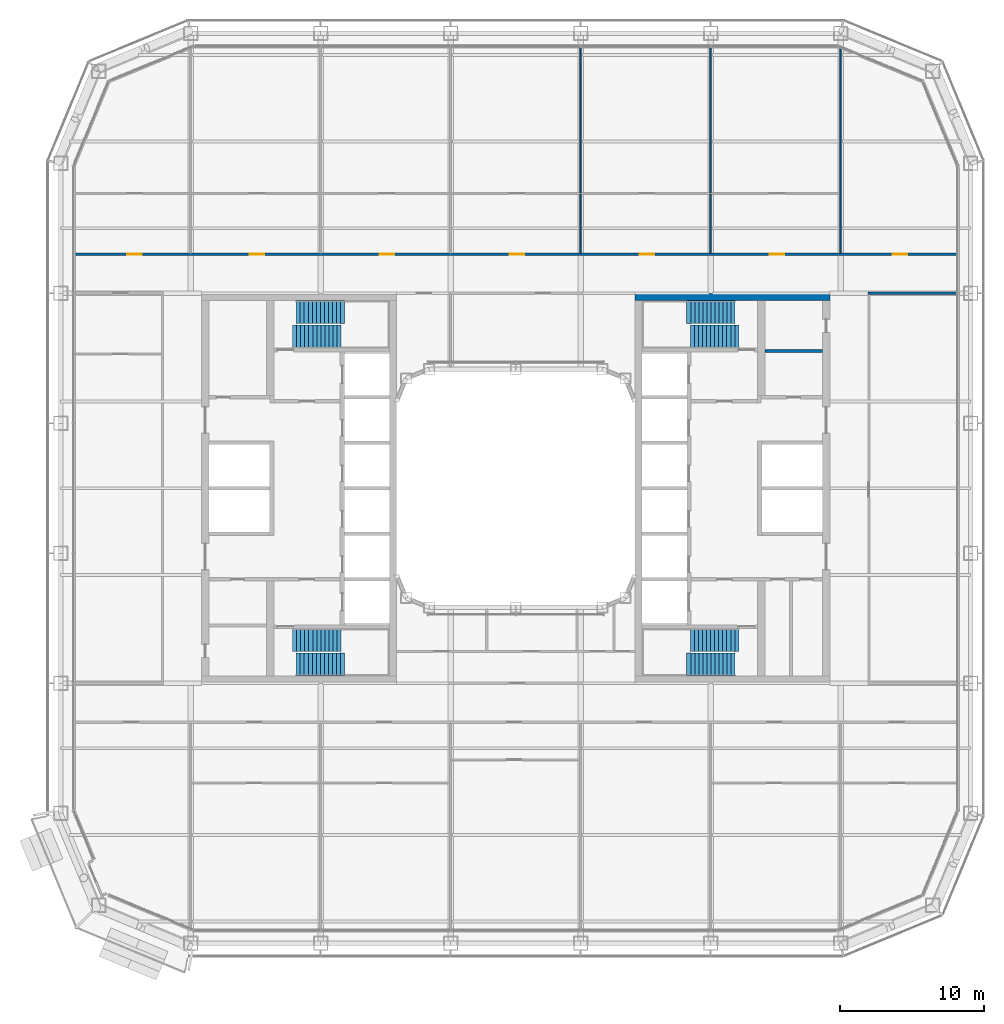
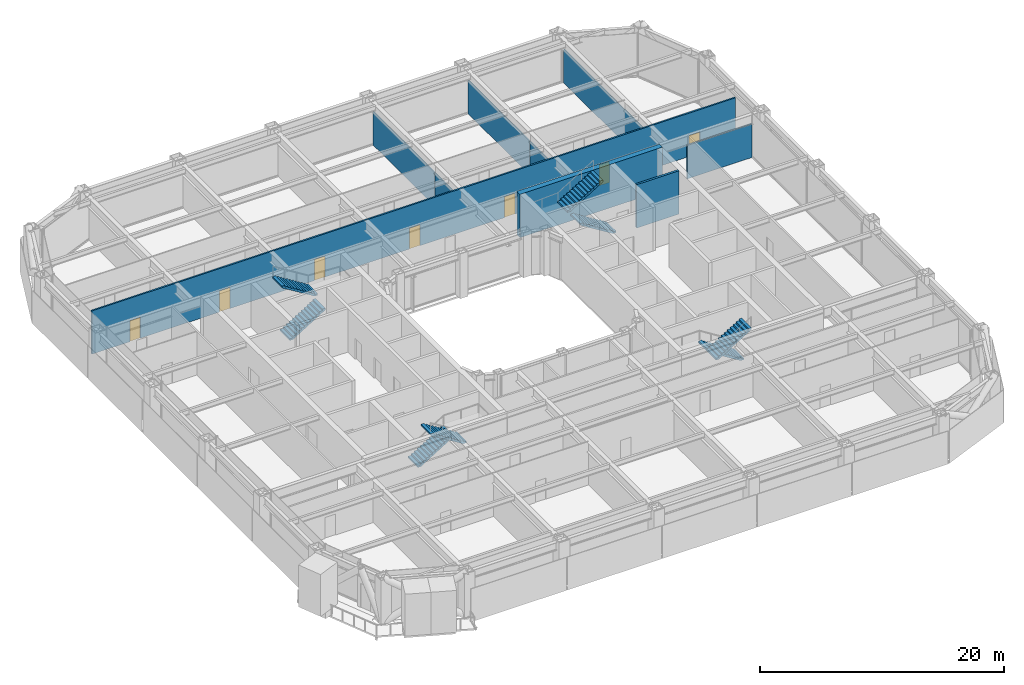
# One storey, part 17 of 27: 9 walls, 8 stair flights, 7 doors, 7 openings, 4 elements without a shape of their own.
"""IFC4 building model written with IfcOpenShell, lengths in metres."""

from ifc_helpers import new_model, si_unit, direction, frame, frame_2d, origin, place, context, subcontext, project, spatial, polyline, rectangle, outline, extrude, material, layer, layer_set, type_object, element, fill, aggregate, save


model = new_model("IFC4")

# Units and contexts
model_context = context("Model", 3, precision=1e-05, world=origin(), true_north=direction((0.0, 1.0)))
body_context = subcontext(model_context, "Body", "Model", "MODEL_VIEW")
ifc_project = project(units=[si_unit("LENGTHUNIT", "METRE"), si_unit("AREAUNIT", "SQUARE_METRE"), si_unit("VOLUMEUNIT", "CUBIC_METRE"), si_unit("PLANEANGLEUNIT", "RADIAN"), si_unit("MASSUNIT", "GRAM", prefix="KILO")], contexts=[model_context])

# Site, building, storey
site_placement = place(None, origin())
site = spatial("IfcSite", under=ifc_project, at=site_placement, CompositionType="ELEMENT")
building_placement = place(site_placement, origin())
building = spatial("IfcBuilding", under=site, at=building_placement, Name="Siwar Civic Tower", CompositionType="ELEMENT")
storey_placement = place(building_placement, frame((0.0, 0.0, 71.699951171875)))
storey = spatial("IfcBuildingStorey", under=building, at=storey_placement, Name="L15", CompositionType="ELEMENT", Elevation=71.699951171875)

# Walls
ifc_material_1 = material(Name="Gypsum board on steel studs", Category="steel")
ifc_layer_1 = layer(ifc_material_1, 0.199951171875)
ifc_layer_set_1 = layer_set([ifc_layer_1], Name="Gypsum board on steel studs")
wall_type_1 = type_object("IfcWallType", Name="CORE-PARTITION-200", PredefinedType="PARTITIONING", material=ifc_layer_set_1)
wall_1_placement = place(storey_placement, frame((17.25, 9.5, 0.0), z_axis=(0.0, 0.0, 1.0), x_axis=(1.0, 0.0, 0.0)))
element("IfcWall", 1, at=wall_1_placement, inside=storey, type_object=wall_type_1, Name="Core partition E", PredefinedType="PARTITIONING", context=body_context, shape_type="SweptSolid", body=[
    extrude(rectangle(XDim=4.0, YDim=0.199951171875, at=frame_2d((2.0, 0.0))), origin(), (0.0, 0.0, 1.0), 4.35009765625),
])
ifc_material_2 = material(Name="Concrete C60/75", Category="concrete")
ifc_layer_2 = layer(ifc_material_2, 0.5)
ifc_layer_set_2 = layer_set([ifc_layer_2], Name="Concrete C60/75")
wall_type_2 = type_object("IfcWallType", Name="CORE-WALL-RC500", PredefinedType="SHEAR", material=ifc_layer_set_2)
wall_2_placement = place(storey_placement, frame((8.25, 13.25, 0.0), z_axis=(0.0, 0.0, 1.0), x_axis=(1.0, 0.0, 0.0)))
element("IfcWall", 2, at=wall_2_placement, inside=storey, type_object=wall_type_2, Name="Core wall E", PredefinedType="SHEAR", context=body_context, shape_type="SweptSolid", body=[
    extrude(rectangle(XDim=13.5, YDim=0.5, at=frame_2d((6.75, 0.0))), origin(), (0.0, 0.0, 1.0), 4.35009765625),
])
ifc_material_3 = material(Name="Gypsum board on steel studs", Category="steel")
ifc_layer_3 = layer(ifc_material_3, 0.14990234375)
ifc_layer_set_3 = layer_set([ifc_layer_3], Name="Gypsum board on steel studs")
wall_type_3 = type_object("IfcWallType", Name="CORRIDOR PARTITION 150 EI 30", PredefinedType="PARTITIONING", material=ifc_layer_set_3)
wall_3_placement = place(storey_placement, frame((24.375, 13.5, 0.0), z_axis=(0.0, 0.0, 1.0), x_axis=(1.0, 0.0, 0.0)))
element("IfcWall", 3, at=wall_3_placement, inside=storey, type_object=wall_type_3, Name="L15/wall/P13", PredefinedType="PARTITIONING", context=body_context, shape_type="SweptSolid", body=[
    extrude(rectangle(XDim=6.135009765625, YDim=0.14990234375, at=frame_2d((3.0673828125, 0.0))), origin(), (0.0, 0.0, 1.0), 3.35009765625),
])

# Wall, openings, doors
wall_4_placement = place(storey_placement, frame((-30.510009765625, 16.199951171875, 0.0), z_axis=(0.0, 0.0, 1.0), x_axis=(1.0, 0.0, 0.0)))
wall_4 = element("IfcWall", 4, at=wall_4_placement, inside=storey, type_object=wall_type_3, Name="L15/wall/P14", PredefinedType="PARTITIONING", context=body_context, shape_type="SweptSolid", body=[
    extrude(rectangle(XDim=61.02001953125, YDim=0.14990234375, at=frame_2d((30.510009765625, 0.0))), origin(), (0.0, 0.0, 1.0), 4.35009765625),
])
opening_1_placement = place(wall_4_placement, frame((12.110107421875, 0.0, 0.0)))
opening_1 = element("IfcOpeningElement", 5, at=opening_1_placement, cuts=wall_4, Name="Opening D1", PredefinedType="OPENING", context=body_context, shape_type="SweptSolid", body=[
    extrude(rectangle(XDim=1.0, YDim=2.10009765625, at=frame_2d((0.5, 1.050048828125))), frame((0.0, 0.0849609375, 0.0), z_axis=(0.0, -1.0, 0.0), x_axis=(1.0, 0.0, 0.0)), (0.0, 0.0, 1.0), 0.169921875),
])
opening_2_placement = place(wall_4_placement, frame((21.110107421875, 0.0, 0.0)))
opening_2 = element("IfcOpeningElement", 6, at=opening_2_placement, cuts=wall_4, Name="Opening D1", PredefinedType="OPENING", context=body_context, shape_type="SweptSolid", body=[
    extrude(rectangle(XDim=1.0, YDim=2.10009765625, at=frame_2d((0.5, 1.050048828125))), frame((0.0, 0.0849609375, 0.0), z_axis=(0.0, -1.0, 0.0), x_axis=(1.0, 0.0, 0.0)), (0.0, 0.0, 1.0), 0.169921875),
])
opening_3_placement = place(wall_4_placement, frame((30.110107421875, 0.0, 0.0)))
opening_3 = element("IfcOpeningElement", 7, at=opening_3_placement, cuts=wall_4, Name="Opening D1", PredefinedType="OPENING", context=body_context, shape_type="SweptSolid", body=[
    extrude(rectangle(XDim=1.0, YDim=2.10009765625, at=frame_2d((0.5, 1.050048828125))), frame((0.0, 0.0849609375, 0.0), z_axis=(0.0, -1.0, 0.0), x_axis=(1.0, 0.0, 0.0)), (0.0, 0.0, 1.0), 0.169921875),
])
opening_4_placement = place(wall_4_placement, frame((39.110107421875, 0.0, 0.0)))
opening_4 = element("IfcOpeningElement", 8, at=opening_4_placement, cuts=wall_4, Name="Opening D1", PredefinedType="OPENING", context=body_context, shape_type="SweptSolid", body=[
    extrude(rectangle(XDim=1.0, YDim=2.10009765625, at=frame_2d((0.5, 1.050048828125))), frame((0.0, 0.0849609375, 0.0), z_axis=(0.0, -1.0, 0.0), x_axis=(1.0, 0.0, 0.0)), (0.0, 0.0, 1.0), 0.169921875),
])
opening_5_placement = place(wall_4_placement, frame((48.110107421875, 0.0, 0.0)))
opening_5 = element("IfcOpeningElement", 9, at=opening_5_placement, cuts=wall_4, Name="Opening D1", PredefinedType="OPENING", context=body_context, shape_type="SweptSolid", body=[
    extrude(rectangle(XDim=1.0, YDim=2.10009765625, at=frame_2d((0.5, 1.050048828125))), frame((0.0, 0.0849609375, 0.0), z_axis=(0.0, -1.0, 0.0), x_axis=(1.0, 0.0, 0.0)), (0.0, 0.0, 1.0), 0.169921875),
])
opening_6_placement = place(wall_4_placement, frame((3.610107421875, 0.0, 0.0)))
opening_6 = element("IfcOpeningElement", 10, at=opening_6_placement, cuts=wall_4, Name="Opening D1", PredefinedType="OPENING", context=body_context, shape_type="SweptSolid", body=[
    extrude(rectangle(XDim=1.0, YDim=2.10009765625, at=frame_2d((0.5, 1.050048828125))), frame((0.0, 0.0849609375, 0.0), z_axis=(0.0, -1.0, 0.0), x_axis=(1.0, 0.0, 0.0)), (0.0, 0.0, 1.0), 0.169921875),
])
opening_7_placement = place(wall_4_placement, frame((56.6201171875, 0.0, 0.0)))
opening_7 = element("IfcOpeningElement", 11, at=opening_7_placement, cuts=wall_4, Name="Opening D1", PredefinedType="OPENING", context=body_context, shape_type="SweptSolid", body=[
    extrude(rectangle(XDim=1.0, YDim=2.10009765625, at=frame_2d((0.5, 1.050048828125))), frame((0.0, 0.0849609375, 0.0), z_axis=(0.0, -1.0, 0.0), x_axis=(1.0, 0.0, 0.0)), (0.0, 0.0, 1.0), 0.169921875),
])
ifc_material_4 = material(Name="Timber, painted", Category="wood")
door_type = type_object("IfcDoorType", Name="DOOR 1000 X 2100 FD30", OperationType="SINGLE_SWING_LEFT", PredefinedType="DOOR", material=ifc_material_4)
door_1_placement = place(opening_1_placement, origin())
door_1 = element("IfcDoor", 12, at=door_1_placement, inside=storey, type_object=door_type, Name="L15-D01", OperationType="SINGLE_SWING_LEFT", OverallHeight=2.10009765625, OverallWidth=1.0, PredefinedType="DOOR", context=body_context, shape_type="SweptSolid", body=[
    extrude(rectangle(XDim=1.0, YDim=2.10009765625, at=frame_2d((0.5, 1.050048828125))), frame((0.0, 0.02490234375, 0.0), z_axis=(0.0, -1.0, 0.0), x_axis=(1.0, 0.0, 0.0)), (0.0, 0.0, 1.0), 0.050048828125),
])
fill(opening_1, door_1)
door_2_placement = place(opening_2_placement, origin())
door_2 = element("IfcDoor", 13, at=door_2_placement, inside=storey, type_object=door_type, Name="L15-D03", OperationType="SINGLE_SWING_LEFT", OverallHeight=2.10009765625, OverallWidth=1.0, PredefinedType="DOOR", context=body_context, shape_type="SweptSolid", body=[
    extrude(rectangle(XDim=1.0, YDim=2.10009765625, at=frame_2d((0.5, 1.050048828125))), frame((0.0, 0.02490234375, 0.0), z_axis=(0.0, -1.0, 0.0), x_axis=(1.0, 0.0, 0.0)), (0.0, 0.0, 1.0), 0.050048828125),
])
fill(opening_2, door_2)
door_3_placement = place(opening_3_placement, origin())
door_3 = element("IfcDoor", 14, at=door_3_placement, inside=storey, type_object=door_type, Name="L15-D05", OperationType="SINGLE_SWING_LEFT", OverallHeight=2.10009765625, OverallWidth=1.0, PredefinedType="DOOR", context=body_context, shape_type="SweptSolid", body=[
    extrude(rectangle(XDim=1.0, YDim=2.10009765625, at=frame_2d((0.5, 1.050048828125))), frame((0.0, 0.02490234375, 0.0), z_axis=(0.0, -1.0, 0.0), x_axis=(1.0, 0.0, 0.0)), (0.0, 0.0, 1.0), 0.050048828125),
])
fill(opening_3, door_3)
door_4_placement = place(opening_4_placement, origin())
door_4 = element("IfcDoor", 15, at=door_4_placement, inside=storey, type_object=door_type, Name="L15-D07", OperationType="SINGLE_SWING_LEFT", OverallHeight=2.10009765625, OverallWidth=1.0, PredefinedType="DOOR", context=body_context, shape_type="SweptSolid", body=[
    extrude(rectangle(XDim=1.0, YDim=2.10009765625, at=frame_2d((0.5, 1.050048828125))), frame((0.0, 0.02490234375, 0.0), z_axis=(0.0, -1.0, 0.0), x_axis=(1.0, 0.0, 0.0)), (0.0, 0.0, 1.0), 0.050048828125),
])
fill(opening_4, door_4)
door_5_placement = place(opening_5_placement, origin())
door_5 = element("IfcDoor", 16, at=door_5_placement, inside=storey, type_object=door_type, Name="L15-D09", OperationType="SINGLE_SWING_LEFT", OverallHeight=2.10009765625, OverallWidth=1.0, PredefinedType="DOOR", context=body_context, shape_type="SweptSolid", body=[
    extrude(rectangle(XDim=1.0, YDim=2.10009765625, at=frame_2d((0.5, 1.050048828125))), frame((0.0, 0.02490234375, 0.0), z_axis=(0.0, -1.0, 0.0), x_axis=(1.0, 0.0, 0.0)), (0.0, 0.0, 1.0), 0.050048828125),
])
fill(opening_5, door_5)
door_6_placement = place(opening_6_placement, origin())
door_6 = element("IfcDoor", 17, at=door_6_placement, inside=storey, type_object=door_type, Name="L15-D20", OperationType="SINGLE_SWING_RIGHT", OverallHeight=2.10009765625, OverallWidth=1.0, PredefinedType="DOOR", context=body_context, shape_type="SweptSolid", body=[
    extrude(rectangle(XDim=1.0, YDim=2.10009765625, at=frame_2d((0.5, 1.050048828125))), frame((0.0, 0.02490234375, 0.0), z_axis=(0.0, -1.0, 0.0), x_axis=(1.0, 0.0, 0.0)), (0.0, 0.0, 1.0), 0.050048828125),
])
fill(opening_6, door_6)
door_7_placement = place(opening_7_placement, origin())
door_7 = element("IfcDoor", 18, at=door_7_placement, inside=storey, type_object=door_type, Name="L15-D22", OperationType="SINGLE_SWING_RIGHT", OverallHeight=2.10009765625, OverallWidth=1.0, PredefinedType="DOOR", context=body_context, shape_type="SweptSolid", body=[
    extrude(rectangle(XDim=1.0, YDim=2.10009765625, at=frame_2d((0.5, 1.050048828125))), frame((0.0, 0.02490234375, 0.0), z_axis=(0.0, -1.0, 0.0), x_axis=(1.0, 0.0, 0.0)), (0.0, 0.0, 1.0), 0.050048828125),
])
fill(opening_7, door_7)

# Walls
ifc_material_5 = material(Name="Gypsum board on steel studs", Category="steel")
ifc_layer_4 = layer(ifc_material_5, 0.10009765625)
ifc_layer_set_4 = layer_set([ifc_layer_4], Name="Gypsum board on steel studs")
wall_type_4 = type_object("IfcWallType", Name="PARTITION 100 GYPSUM", PredefinedType="PARTITIONING", material=ifc_layer_set_4)
wall_5_placement = place(storey_placement, frame((4.5, 16.27490234375, 0.0), z_axis=(0.0, 0.0, 1.0), x_axis=(0.0, 1.0, 0.0)))
element("IfcWall", 19, at=wall_5_placement, inside=storey, type_object=wall_type_4, Name="L15/wall/P31", PredefinedType="PARTITIONING", context=body_context, shape_type="SweptSolid", body=[
    extrude(rectangle(XDim=4.0751953125, YDim=0.10009765625, at=frame_2d((2.03759765625, 0.0))), origin(), (0.0, 0.0, 1.0), 3.35009765625),
])
wall_6_placement = place(storey_placement, frame((4.5, 20.449951171875, 0.0), z_axis=(0.0, 0.0, 1.0), x_axis=(0.0, 1.0, 0.0)))
element("IfcWall", 20, at=wall_6_placement, inside=storey, type_object=wall_type_4, Name="L15/wall/P32", PredefinedType="PARTITIONING", context=body_context, shape_type="SweptSolid", body=[
    extrude(rectangle(XDim=10.06005859375, YDim=0.10009765625, at=frame_2d((5.030029296875, 0.0))), origin(), (0.0, 0.0, 1.0), 3.35009765625),
])
wall_7_placement = place(storey_placement, frame((13.5, 16.27490234375, 0.0), z_axis=(0.0, 0.0, 1.0), x_axis=(0.0, 1.0, 0.0)))
element("IfcWall", 21, at=wall_7_placement, inside=storey, type_object=wall_type_4, Name="L15/wall/P35", PredefinedType="PARTITIONING", context=body_context, shape_type="SweptSolid", body=[
    extrude(rectangle(XDim=4.0751953125, YDim=0.10009765625, at=frame_2d((2.03759765625, 0.0))), origin(), (0.0, 0.0, 1.0), 3.35009765625),
])
wall_8_placement = place(storey_placement, frame((13.5, 20.449951171875, 0.0), z_axis=(0.0, 0.0, 1.0), x_axis=(0.0, 1.0, 0.0)))
element("IfcWall", 22, at=wall_8_placement, inside=storey, type_object=wall_type_4, Name="L15/wall/P36", PredefinedType="PARTITIONING", context=body_context, shape_type="SweptSolid", body=[
    extrude(rectangle(XDim=10.06005859375, YDim=0.10009765625, at=frame_2d((5.030029296875, 0.0))), origin(), (0.0, 0.0, 1.0), 3.35009765625),
])
wall_9_placement = place(storey_placement, frame((22.5, 16.27490234375, 0.0), z_axis=(0.0, 0.0, 1.0), x_axis=(0.0, 1.0, 0.0)))
element("IfcWall", 23, at=wall_9_placement, inside=storey, type_object=wall_type_4, Name="L15/wall/P39", PredefinedType="PARTITIONING", context=body_context, shape_type="SweptSolid", body=[
    extrude(rectangle(XDim=14.153076171875, YDim=0.10009765625, at=frame_2d((7.07666015625, 0.0))), origin(), (0.0, 0.0, 1.0), 3.35009765625),
])

# Stair, stair flights
ifc_material_6 = material(Name="Concrete C40/50", Category="concrete")
stair_type = type_object("IfcStairType", Name="CORE-STAIR", PredefinedType="TWO_STRAIGHT_RUN_STAIR", material=ifc_material_6)
stair_1_placement = place(storey_placement, origin())
stair_1 = element("IfcStair", 24, at=stair_1_placement, inside=storey, type_object=stair_type, Name="Exit stair ST1", PredefinedType="TWO_STRAIGHT_RUN_STAIR")
ifc_material_7 = material(Name="Concrete C40/50", Category="concrete")
stair_flight_type = type_object("IfcStairFlightType", Name="CORE-STAIR-FLIGHT", PredefinedType="STRAIGHT", material=ifc_material_7)
stair_flight_1_placement = place(storey_placement, frame((-15.449951171875, 10.5, 0.0), z_axis=(0.0, 0.0, 1.0), x_axis=(1.0, 0.0, 0.0)))
stair_flight_1 = element("IfcStairFlight", 25, at=stair_flight_1_placement, type_object=stair_flight_type, Name="ST1 flight 1", NumberOfRisers=13, NumberOfTreads=12, PredefinedType="STRAIGHT", RiserHeight=0.173076923, TreadLength=0.28, context=body_context, shape_type="SweptSolid", body=[
    extrude(outline(polyline([(0.0, 0.0), (0.0, 0.173095703125), (0.280029296875, 0.173095703125), (0.280029296875, 0.34619140625), (0.56005859375, 0.34619140625), (0.56005859375, 0.519287109375), (0.840087890625, 0.519287109375), (0.840087890625, 0.6923828125), (1.1201171875, 0.6923828125), (1.1201171875, 0.865478515625), (1.39990234375, 0.865478515625), (1.39990234375, 1.03857421875), (1.679931640625, 1.03857421875), (1.679931640625, 1.21142578125), (1.9599609375, 1.21142578125), (1.9599609375, 1.384521484375), (2.239990234375, 1.384521484375), (2.239990234375, 1.5576171875), (2.52001953125, 1.5576171875), (2.52001953125, 1.730712890625), (2.800048828125, 1.730712890625), (2.800048828125, 1.90380859375), (3.080078125, 1.90380859375), (3.080078125, 2.076904296875), (3.360107421875, 2.076904296875), (3.360107421875, 2.25), (3.360107421875, 1.900634765625), (0.28515625, 0.0), (0.0, 0.0)])), frame((0.0, 0.800048828125, 0.0), z_axis=(0.0, -1.0, 0.0), x_axis=(1.0, 0.0, 0.0)), (0.0, 0.0, 1.0), 1.60009765625),
])
stair_flight_2_placement = place(storey_placement, frame((-11.840087890625, 12.199951171875, 2.25), z_axis=(0.0, 0.0, 1.0), x_axis=(-1.0, 0.0, 0.0)))
stair_flight_2 = element("IfcStairFlight", 26, at=stair_flight_2_placement, type_object=stair_flight_type, Name="ST1 flight 2", NumberOfRisers=13, NumberOfTreads=12, PredefinedType="STRAIGHT", RiserHeight=0.173076923, TreadLength=0.28, context=body_context, shape_type="SweptSolid", body=[
    extrude(outline(polyline([(0.0, 0.0), (0.0, 0.173095703125), (0.280029296875, 0.173095703125), (0.280029296875, 0.34619140625), (0.56005859375, 0.34619140625), (0.56005859375, 0.519287109375), (0.840087890625, 0.519287109375), (0.840087890625, 0.6923828125), (1.1201171875, 0.6923828125), (1.1201171875, 0.865478515625), (1.39990234375, 0.865478515625), (1.39990234375, 1.03857421875), (1.679931640625, 1.03857421875), (1.679931640625, 1.21142578125), (1.9599609375, 1.21142578125), (1.9599609375, 1.384521484375), (2.239990234375, 1.384521484375), (2.239990234375, 1.5576171875), (2.52001953125, 1.5576171875), (2.52001953125, 1.730712890625), (2.800048828125, 1.730712890625), (2.800048828125, 1.90380859375), (3.080078125, 1.90380859375), (3.080078125, 2.076904296875), (3.360107421875, 2.076904296875), (3.360107421875, 2.25), (3.360107421875, 1.900634765625), (0.28515625, 0.0), (0.0, 0.0)])), frame((0.0, 0.800048828125, 0.0), z_axis=(0.0, -1.0, 0.0), x_axis=(1.0, 0.0, 0.0)), (0.0, 0.0, 1.0), 1.60009765625),
])
aggregate(stair_1, [stair_flight_1, stair_flight_2])

stair_2_placement = place(storey_placement, origin())
stair_2 = element("IfcStair", 27, at=stair_2_placement, inside=storey, type_object=stair_type, Name="Exit stair ST2", PredefinedType="TWO_STRAIGHT_RUN_STAIR")
stair_flight_3_placement = place(storey_placement, frame((-15.449951171875, -10.5, 0.0), z_axis=(0.0, 0.0, 1.0), x_axis=(1.0, 0.0, 0.0)))
stair_flight_3 = element("IfcStairFlight", 28, at=stair_flight_3_placement, type_object=stair_flight_type, Name="ST2 flight 1", NumberOfRisers=13, NumberOfTreads=12, PredefinedType="STRAIGHT", RiserHeight=0.173076923, TreadLength=0.28, context=body_context, shape_type="SweptSolid", body=[
    extrude(outline(polyline([(0.0, 0.0), (0.0, 0.173095703125), (0.280029296875, 0.173095703125), (0.280029296875, 0.34619140625), (0.56005859375, 0.34619140625), (0.56005859375, 0.519287109375), (0.840087890625, 0.519287109375), (0.840087890625, 0.6923828125), (1.1201171875, 0.6923828125), (1.1201171875, 0.865478515625), (1.39990234375, 0.865478515625), (1.39990234375, 1.03857421875), (1.679931640625, 1.03857421875), (1.679931640625, 1.21142578125), (1.9599609375, 1.21142578125), (1.9599609375, 1.384521484375), (2.239990234375, 1.384521484375), (2.239990234375, 1.5576171875), (2.52001953125, 1.5576171875), (2.52001953125, 1.730712890625), (2.800048828125, 1.730712890625), (2.800048828125, 1.90380859375), (3.080078125, 1.90380859375), (3.080078125, 2.076904296875), (3.360107421875, 2.076904296875), (3.360107421875, 2.25), (3.360107421875, 1.900634765625), (0.28515625, 0.0), (0.0, 0.0)])), frame((0.0, 0.800048828125, 0.0), z_axis=(0.0, -1.0, 0.0), x_axis=(1.0, 0.0, 0.0)), (0.0, 0.0, 1.0), 1.60009765625),
])
stair_flight_4_placement = place(storey_placement, frame((-11.840087890625, -12.199951171875, 2.25), z_axis=(0.0, 0.0, 1.0), x_axis=(-1.0, 0.0, 0.0)))
stair_flight_4 = element("IfcStairFlight", 29, at=stair_flight_4_placement, type_object=stair_flight_type, Name="ST2 flight 2", NumberOfRisers=13, NumberOfTreads=12, PredefinedType="STRAIGHT", RiserHeight=0.173076923, TreadLength=0.28, context=body_context, shape_type="SweptSolid", body=[
    extrude(outline(polyline([(0.0, 0.0), (0.0, 0.173095703125), (0.280029296875, 0.173095703125), (0.280029296875, 0.34619140625), (0.56005859375, 0.34619140625), (0.56005859375, 0.519287109375), (0.840087890625, 0.519287109375), (0.840087890625, 0.6923828125), (1.1201171875, 0.6923828125), (1.1201171875, 0.865478515625), (1.39990234375, 0.865478515625), (1.39990234375, 1.03857421875), (1.679931640625, 1.03857421875), (1.679931640625, 1.21142578125), (1.9599609375, 1.21142578125), (1.9599609375, 1.384521484375), (2.239990234375, 1.384521484375), (2.239990234375, 1.5576171875), (2.52001953125, 1.5576171875), (2.52001953125, 1.730712890625), (2.800048828125, 1.730712890625), (2.800048828125, 1.90380859375), (3.080078125, 1.90380859375), (3.080078125, 2.076904296875), (3.360107421875, 2.076904296875), (3.360107421875, 2.25), (3.360107421875, 1.900634765625), (0.28515625, 0.0), (0.0, 0.0)])), frame((0.0, 0.800048828125, 0.0), z_axis=(0.0, -1.0, 0.0), x_axis=(1.0, 0.0, 0.0)), (0.0, 0.0, 1.0), 1.60009765625),
])
aggregate(stair_2, [stair_flight_3, stair_flight_4])

stair_3_placement = place(storey_placement, origin())
stair_3 = element("IfcStair", 30, at=stair_3_placement, inside=storey, type_object=stair_type, Name="Exit stair ST3", PredefinedType="TWO_STRAIGHT_RUN_STAIR")
stair_flight_5_placement = place(storey_placement, frame((15.449951171875, 10.5, 0.0), z_axis=(0.0, 0.0, 1.0), x_axis=(-1.0, 0.0, 0.0)))
stair_flight_5 = element("IfcStairFlight", 31, at=stair_flight_5_placement, type_object=stair_flight_type, Name="ST3 flight 1", NumberOfRisers=13, NumberOfTreads=12, PredefinedType="STRAIGHT", RiserHeight=0.173076923, TreadLength=0.28, context=body_context, shape_type="SweptSolid", body=[
    extrude(outline(polyline([(0.0, 0.0), (0.0, 0.173095703125), (0.280029296875, 0.173095703125), (0.280029296875, 0.34619140625), (0.56005859375, 0.34619140625), (0.56005859375, 0.519287109375), (0.840087890625, 0.519287109375), (0.840087890625, 0.6923828125), (1.1201171875, 0.6923828125), (1.1201171875, 0.865478515625), (1.39990234375, 0.865478515625), (1.39990234375, 1.03857421875), (1.679931640625, 1.03857421875), (1.679931640625, 1.21142578125), (1.9599609375, 1.21142578125), (1.9599609375, 1.384521484375), (2.239990234375, 1.384521484375), (2.239990234375, 1.5576171875), (2.52001953125, 1.5576171875), (2.52001953125, 1.730712890625), (2.800048828125, 1.730712890625), (2.800048828125, 1.90380859375), (3.080078125, 1.90380859375), (3.080078125, 2.076904296875), (3.360107421875, 2.076904296875), (3.360107421875, 2.25), (3.360107421875, 1.900634765625), (0.28515625, 0.0), (0.0, 0.0)])), frame((0.0, 0.800048828125, 0.0), z_axis=(0.0, -1.0, 0.0), x_axis=(1.0, 0.0, 0.0)), (0.0, 0.0, 1.0), 1.60009765625),
])
stair_flight_6_placement = place(storey_placement, frame((11.840087890625, 12.199951171875, 2.25), z_axis=(0.0, 0.0, 1.0), x_axis=(1.0, 0.0, 0.0)))
stair_flight_6 = element("IfcStairFlight", 32, at=stair_flight_6_placement, type_object=stair_flight_type, Name="ST3 flight 2", NumberOfRisers=13, NumberOfTreads=12, PredefinedType="STRAIGHT", RiserHeight=0.173076923, TreadLength=0.28, context=body_context, shape_type="SweptSolid", body=[
    extrude(outline(polyline([(0.0, 0.0), (0.0, 0.173095703125), (0.280029296875, 0.173095703125), (0.280029296875, 0.34619140625), (0.56005859375, 0.34619140625), (0.56005859375, 0.519287109375), (0.840087890625, 0.519287109375), (0.840087890625, 0.6923828125), (1.1201171875, 0.6923828125), (1.1201171875, 0.865478515625), (1.39990234375, 0.865478515625), (1.39990234375, 1.03857421875), (1.679931640625, 1.03857421875), (1.679931640625, 1.21142578125), (1.9599609375, 1.21142578125), (1.9599609375, 1.384521484375), (2.239990234375, 1.384521484375), (2.239990234375, 1.5576171875), (2.52001953125, 1.5576171875), (2.52001953125, 1.730712890625), (2.800048828125, 1.730712890625), (2.800048828125, 1.90380859375), (3.080078125, 1.90380859375), (3.080078125, 2.076904296875), (3.360107421875, 2.076904296875), (3.360107421875, 2.25), (3.360107421875, 1.900634765625), (0.28515625, 0.0), (0.0, 0.0)])), frame((0.0, 0.800048828125, 0.0), z_axis=(0.0, -1.0, 0.0), x_axis=(1.0, 0.0, 0.0)), (0.0, 0.0, 1.0), 1.60009765625),
])
aggregate(stair_3, [stair_flight_5, stair_flight_6])

stair_4_placement = place(storey_placement, origin())
stair_4 = element("IfcStair", 33, at=stair_4_placement, inside=storey, type_object=stair_type, Name="Exit stair ST4", PredefinedType="TWO_STRAIGHT_RUN_STAIR")
stair_flight_7_placement = place(storey_placement, frame((15.449951171875, -10.5, 0.0), z_axis=(0.0, 0.0, 1.0), x_axis=(-1.0, 0.0, 0.0)))
stair_flight_7 = element("IfcStairFlight", 34, at=stair_flight_7_placement, type_object=stair_flight_type, Name="ST4 flight 1", NumberOfRisers=13, NumberOfTreads=12, PredefinedType="STRAIGHT", RiserHeight=0.173076923, TreadLength=0.28, context=body_context, shape_type="SweptSolid", body=[
    extrude(outline(polyline([(0.0, 0.0), (0.0, 0.173095703125), (0.280029296875, 0.173095703125), (0.280029296875, 0.34619140625), (0.56005859375, 0.34619140625), (0.56005859375, 0.519287109375), (0.840087890625, 0.519287109375), (0.840087890625, 0.6923828125), (1.1201171875, 0.6923828125), (1.1201171875, 0.865478515625), (1.39990234375, 0.865478515625), (1.39990234375, 1.03857421875), (1.679931640625, 1.03857421875), (1.679931640625, 1.21142578125), (1.9599609375, 1.21142578125), (1.9599609375, 1.384521484375), (2.239990234375, 1.384521484375), (2.239990234375, 1.5576171875), (2.52001953125, 1.5576171875), (2.52001953125, 1.730712890625), (2.800048828125, 1.730712890625), (2.800048828125, 1.90380859375), (3.080078125, 1.90380859375), (3.080078125, 2.076904296875), (3.360107421875, 2.076904296875), (3.360107421875, 2.25), (3.360107421875, 1.900634765625), (0.28515625, 0.0), (0.0, 0.0)])), frame((0.0, 0.800048828125, 0.0), z_axis=(0.0, -1.0, 0.0), x_axis=(1.0, 0.0, 0.0)), (0.0, 0.0, 1.0), 1.60009765625),
])
stair_flight_8_placement = place(storey_placement, frame((11.840087890625, -12.199951171875, 2.25), z_axis=(0.0, 0.0, 1.0), x_axis=(1.0, 0.0, 0.0)))
stair_flight_8 = element("IfcStairFlight", 35, at=stair_flight_8_placement, type_object=stair_flight_type, Name="ST4 flight 2", NumberOfRisers=13, NumberOfTreads=12, PredefinedType="STRAIGHT", RiserHeight=0.173076923, TreadLength=0.28, context=body_context, shape_type="SweptSolid", body=[
    extrude(outline(polyline([(0.0, 0.0), (0.0, 0.173095703125), (0.280029296875, 0.173095703125), (0.280029296875, 0.34619140625), (0.56005859375, 0.34619140625), (0.56005859375, 0.519287109375), (0.840087890625, 0.519287109375), (0.840087890625, 0.6923828125), (1.1201171875, 0.6923828125), (1.1201171875, 0.865478515625), (1.39990234375, 0.865478515625), (1.39990234375, 1.03857421875), (1.679931640625, 1.03857421875), (1.679931640625, 1.21142578125), (1.9599609375, 1.21142578125), (1.9599609375, 1.384521484375), (2.239990234375, 1.384521484375), (2.239990234375, 1.5576171875), (2.52001953125, 1.5576171875), (2.52001953125, 1.730712890625), (2.800048828125, 1.730712890625), (2.800048828125, 1.90380859375), (3.080078125, 1.90380859375), (3.080078125, 2.076904296875), (3.360107421875, 2.076904296875), (3.360107421875, 2.25), (3.360107421875, 1.900634765625), (0.28515625, 0.0), (0.0, 0.0)])), frame((0.0, 0.800048828125, 0.0), z_axis=(0.0, -1.0, 0.0), x_axis=(1.0, 0.0, 0.0)), (0.0, 0.0, 1.0), 1.60009765625),
])
aggregate(stair_4, [stair_flight_7, stair_flight_8])

save(model, "model.ifc")
